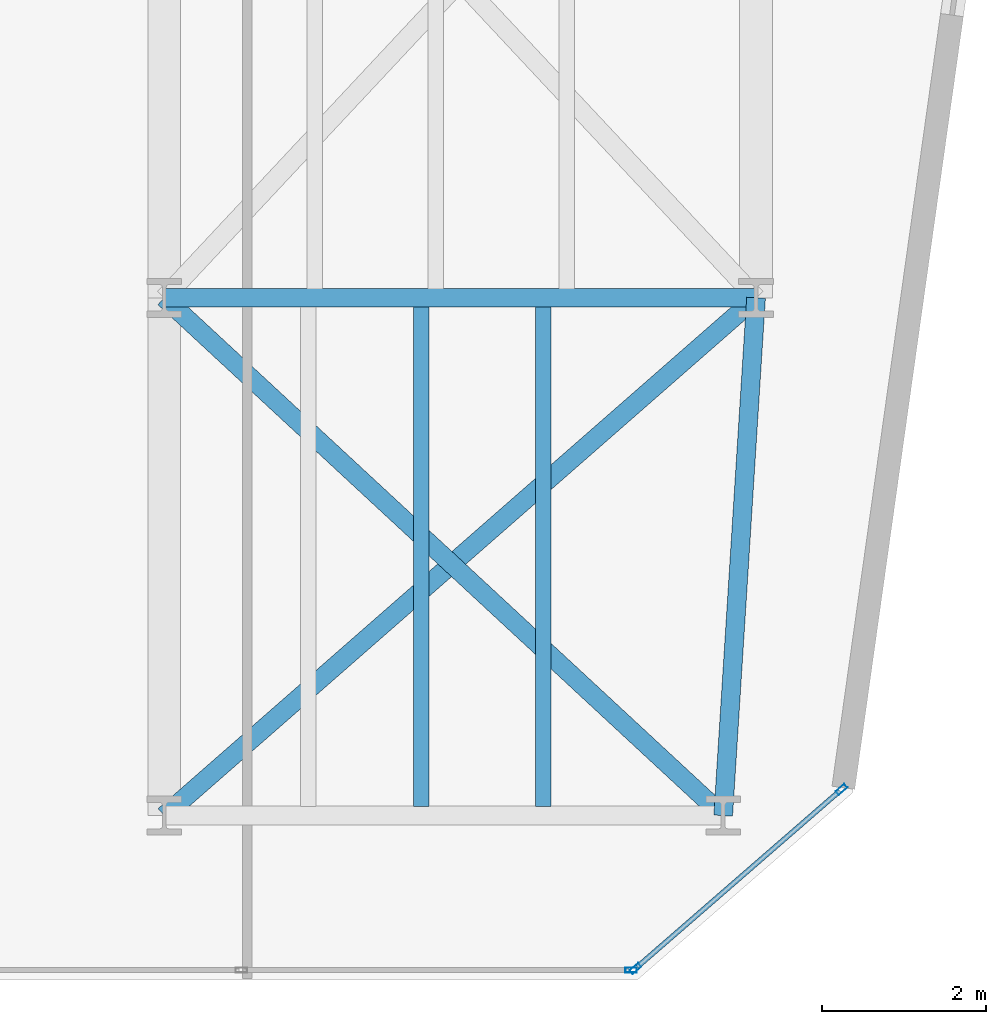
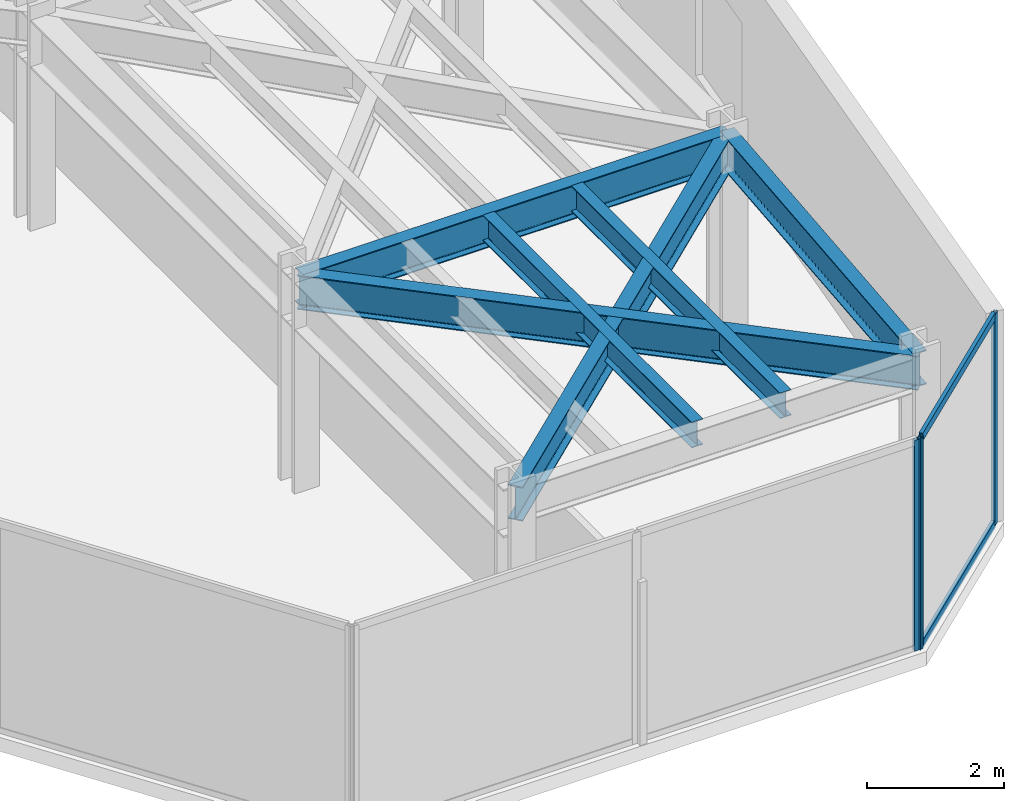
# One storey, part 19 of 26: 6 beams, 5 members, 2 elements without a shape of their own.
"""IFC4 building model written with IfcOpenShell, lengths in metres."""

from ifc_helpers import new_model, si_unit, direction, frame, origin, origin_2d, place, context, subcontext, project, spatial, hollow_rectangle, i_section, extrude, material, layer, layer_set, material_profile, profile_set, type_object, element, aggregate, save


model = new_model("IFC4")

# Units and contexts
model_context = context("Model", 3, precision=1e-05, world=origin(), true_north=direction((0.0, 1.0)))
body_context = subcontext(model_context, "Body", "Model", "MODEL_VIEW")
ifc_project = project(units=[si_unit("LENGTHUNIT", "METRE"), si_unit("AREAUNIT", "SQUARE_METRE"), si_unit("VOLUMEUNIT", "CUBIC_METRE"), si_unit("PLANEANGLEUNIT", "RADIAN"), si_unit("MASSUNIT", "GRAM", prefix="KILO")], contexts=[model_context])

# Site, building, storey
site_placement = place(None, origin())
site = spatial("IfcSite", under=ifc_project, at=site_placement, CompositionType="ELEMENT")
building_placement = place(site_placement, origin())
building = spatial("IfcBuilding", under=site, at=building_placement, Name="Kravanh Interchange Tower", CompositionType="ELEMENT")
storey_placement = place(building_placement, frame((0.0, 0.0, 112.0)))
storey = spatial("IfcBuildingStorey", under=building, at=storey_placement, Name="L26", CompositionType="ELEMENT", Elevation=112.0)

# Curtain wall, members
ifc_material_1 = material(Name="Anodised Bronze Aluminium", Category="aluminium")
ifc_layer = layer(ifc_material_1, 0.179931640625)
ifc_layer_set = layer_set([ifc_layer], Name="Unitised Curtain Wall System CW-Z2 Mid Office")
curtain_wall_type = type_object("IfcCurtainWallType", Name="Unitised Curtain Wall System CW-Z2 Mid Office", PredefinedType="NOTDEFINED", material=ifc_layer_set)
curtain_wall_1_placement = place(storey_placement, origin())
curtain_wall_1 = element("IfcCurtainWall", 1, at=curtain_wall_1_placement, inside=storey, type_object=curtain_wall_type, Name="L26 Unitised Curtain Wall CW-L26-02", PredefinedType="NOTDEFINED")
ifc_material_2 = material(Name="Anodised Bronze Aluminium", Category="aluminium")
ifc_material_profile_1 = material_profile(ifc_material_2, hollow_rectangle(XDim=0.06005859375, YDim=0.139892578125, WallThickness=0.00390625, at=origin_2d()), Name="ALU60X140X4")
ifc_profile_set_1 = profile_set([ifc_material_profile_1], Name="Anodised Bronze Aluminium")
member_type_1 = type_object("IfcMemberType", Name="Curtain Wall Mullion ALU60X140X4 Bronze", PredefinedType="MULLION", material=ifc_profile_set_1)
member_1_placement = place(storey_placement, frame((64.239990234375, 8.51904296875, 0.0), z_axis=(0.0, 0.0, 1.0), x_axis=(0.656047665617, -0.754719458103, 0.0)))
member_1 = element("IfcMember", 2, at=member_1_placement, type_object=member_type_1, Name="CW-Z2 mullion 1", PredefinedType="MULLION", context=body_context, shape_type="SweptSolid", body=[
    extrude(hollow_rectangle(XDim=0.06005859375, YDim=0.139892578125, WallThickness=0.00390625, at=origin_2d()), origin(), (0.0, 0.0, 1.0), 3.75),
])
member_2_placement = place(storey_placement, frame((61.73291015625, 6.339599609375, 0.0), z_axis=(0.0, 0.0, 1.0), x_axis=(0.656047665617, -0.754719458103, 0.0)))
member_2 = element("IfcMember", 3, at=member_2_placement, type_object=member_type_1, Name="CW-Z2 mullion 2", PredefinedType="MULLION", context=body_context, shape_type="SweptSolid", body=[
    extrude(hollow_rectangle(XDim=0.06005859375, YDim=0.139892578125, WallThickness=0.00390625, at=origin_2d()), origin(), (0.0, 0.0, 1.0), 3.75),
])

# Curtain wall, member
curtain_wall_2_placement = place(storey_placement, origin())
curtain_wall_2 = element("IfcCurtainWall", 4, at=curtain_wall_2_placement, inside=storey, type_object=curtain_wall_type, Name="L26 Unitised Curtain Wall CW-L26-03", PredefinedType="NOTDEFINED")
member_3_placement = place(storey_placement, frame((61.68017578125, 6.320068359375, 0.0), z_axis=(0.0, 0.0, 1.0), x_axis=(0.0, -1.0, 0.0)))
member_3 = element("IfcMember", 5, at=member_3_placement, type_object=member_type_1, Name="CW-Z2 mullion 1", PredefinedType="MULLION", context=body_context, shape_type="SweptSolid", body=[
    extrude(hollow_rectangle(XDim=0.06005859375, YDim=0.139892578125, WallThickness=0.00390625, at=origin_2d()), origin(), (0.0, 0.0, 1.0), 3.75),
])
aggregate(curtain_wall_2, [member_3])

# Member
ifc_material_3 = material(Name="Anodised Bronze Aluminium", Category="aluminium")
ifc_material_profile_2 = material_profile(ifc_material_3, hollow_rectangle(XDim=0.06005859375, YDim=0.139892578125, WallThickness=0.00390625, at=origin_2d()), Name="ALU60X140X4")
ifc_profile_set_2 = profile_set([ifc_material_profile_2], Name="Anodised Bronze Aluminium")
member_type_2 = type_object("IfcMemberType", Name="Curtain Wall Transom ALU60X140X4 Bronze", PredefinedType="USERDEFINED", material=ifc_profile_set_2)
member_4_placement = place(storey_placement, frame((64.21728515625, 8.499267578125, 0.030029296875), z_axis=(-0.754742467432, -0.656021194669, 0.0), x_axis=(0.656021194669, -0.754742467432, 0.0)))
member_4 = element("IfcMember", 6, at=member_4_placement, type_object=member_type_2, Name="CW-Z2 transom 1.1", ObjectType="TRANSOM", PredefinedType="USERDEFINED", context=body_context, shape_type="SweptSolid", body=[
    extrude(hollow_rectangle(XDim=0.06005859375, YDim=0.139892578125, WallThickness=0.00390625, at=origin_2d()), origin(), (0.0, 0.0, 1.0), 3.261962890625),
])

member_5_placement = place(storey_placement, frame((64.21728515625, 8.499267578125, 3.719970703125), z_axis=(-0.754742467432, -0.656021194669, 0.0), x_axis=(0.656021194669, -0.754742467432, 0.0)))
member_5 = element("IfcMember", 7, at=member_5_placement, type_object=member_type_2, Name="CW-Z2 transom 1.2", ObjectType="TRANSOM", PredefinedType="USERDEFINED", context=body_context, shape_type="SweptSolid", body=[
    extrude(hollow_rectangle(XDim=0.06005859375, YDim=0.139892578125, WallThickness=0.00390625, at=origin_2d()), origin(), (0.0, 0.0, 1.0), 3.261962890625),
])

aggregate(curtain_wall_1, [member_1, member_2, member_4, member_5])

# Beams
ifc_material_4 = material(Name="Structural Steel S355", Category="steel")
ifc_material_profile_3 = material_profile(ifc_material_4, i_section(OverallWidth=0.18994140625, OverallDepth=0.45703125, WebThickness=0.009033203125, FlangeThickness=0.014404296875, FilletRadius=0.01806640625, at=origin_2d()), Name="W18X50")
ifc_profile_set_3 = profile_set([ifc_material_profile_3], Name="Structural Steel S355")
beam_type_1 = type_object("IfcBeamType", Name="Floor Joist W18X50 Structural Steel S355", PredefinedType="JOIST", material=ifc_profile_set_3)
for number, where, z_axis, x_axis, name in (
    (8, (59.125, 8.30908203125, 3.521484375), (0.0, 1.0, 0.0), (-1.0, 0.0, 0.0), "L26 Secondary Floor Joist 5"),
    (9, (60.610107421875, 8.30908203125, 3.521484375), (0.0, 1.0, 0.0), (-1.0, 0.0, 0.0), "L26 Secondary Floor Joist 6"),
):
    element("IfcBeam", number, at=place(storey_placement, frame(where, z_axis=z_axis, x_axis=x_axis)), inside=storey, type_object=beam_type_1, Name=name, PredefinedType="JOIST", context=body_context, shape_type="SweptSolid", body=[
        extrude(i_section(OverallWidth=0.18994140625, OverallDepth=0.45703125, WebThickness=0.009033203125, FlangeThickness=0.014404296875, FilletRadius=0.01806640625, at=origin_2d()), origin(), (0.0, 0.0, 1.0), 6.08203125),
    ])
ifc_material_5 = material(Name="Structural Steel S355", Category="steel")
ifc_material_profile_4 = material_profile(ifc_material_5, i_section(OverallWidth=0.22802734375, OverallDepth=0.60791015625, WebThickness=0.01123046875, FlangeThickness=0.017333984375, FilletRadius=0.02197265625, at=origin_2d()), Name="W24X76")
ifc_profile_set_4 = profile_set([ifc_material_profile_4], Name="Structural Steel S355")
beam_type_2 = type_object("IfcBeamType", Name="Floor Spandrel W24X76 Structural Steel S355", PredefinedType="SPANDREL", material=ifc_profile_set_4)
beam_1_placement = place(storey_placement, frame((56.0, 8.199951171875, 3.446044921875), z_axis=(0.752571952274, 0.658510027752, 0.0), x_axis=(-0.658510027752, 0.752571952274, 0.0)))
element("IfcBeam", 10, at=beam_1_placement, inside=storey, type_object=beam_type_2, Name="L26 Perimeter Spandrel 97", PredefinedType="SPANDREL", context=body_context, shape_type="SweptSolid", body=[
    extrude(i_section(OverallWidth=0.22802734375, OverallDepth=0.60791015625, WebThickness=0.01123046875, FlangeThickness=0.017333984375, FilletRadius=0.02197265625, at=origin_2d()), origin(), (0.0, 0.0, 1.0), 9.567138671875),
])
beam_2_placement = place(storey_placement, frame((62.800048828125, 8.199951171875, 3.446044921875), z_axis=(0.063348576418, 0.99799146182, 0.0), x_axis=(-0.99799146182, 0.063348576418, 0.0)))
element("IfcBeam", 11, at=beam_2_placement, inside=storey, type_object=beam_type_2, Name="L26 Perimeter Spandrel 98", PredefinedType="SPANDREL", context=body_context, shape_type="SweptSolid", body=[
    extrude(i_section(OverallWidth=0.22802734375, OverallDepth=0.60791015625, WebThickness=0.01123046875, FlangeThickness=0.017333984375, FilletRadius=0.02197265625, at=origin_2d()), origin(), (0.0, 0.0, 1.0), 6.312744140625),
])
beam_3_placement = place(storey_placement, frame((62.800048828125, 8.199951171875, 3.446044921875), z_axis=(-0.733561267923, 0.679623326706, 0.0), x_axis=(-0.679623326706, -0.733561267923, 0.0)))
element("IfcBeam", 12, at=beam_3_placement, inside=storey, type_object=beam_type_2, Name="L26 Perimeter Spandrel 99", PredefinedType="SPANDREL", context=body_context, shape_type="SweptSolid", body=[
    extrude(i_section(OverallWidth=0.22802734375, OverallDepth=0.60791015625, WebThickness=0.01123046875, FlangeThickness=0.017333984375, FilletRadius=0.02197265625, at=origin_2d()), origin(), (0.0, 0.0, 1.0), 9.27001953125),
])
beam_4_placement = place(storey_placement, frame((56.0, 14.5, 3.446044921875), z_axis=(1.0, 0.0, 0.0), x_axis=(0.0, 1.0, 0.0)))
element("IfcBeam", 13, at=beam_4_placement, inside=storey, type_object=beam_type_2, Name="L26 Perimeter Spandrel 103", PredefinedType="SPANDREL", context=body_context, shape_type="SweptSolid", body=[
    extrude(i_section(OverallWidth=0.22802734375, OverallDepth=0.60791015625, WebThickness=0.01123046875, FlangeThickness=0.017333984375, FilletRadius=0.02197265625, at=origin_2d()), origin(), (0.0, 0.0, 1.0), 7.199951171875),
])

save(model, "model.ifc")
